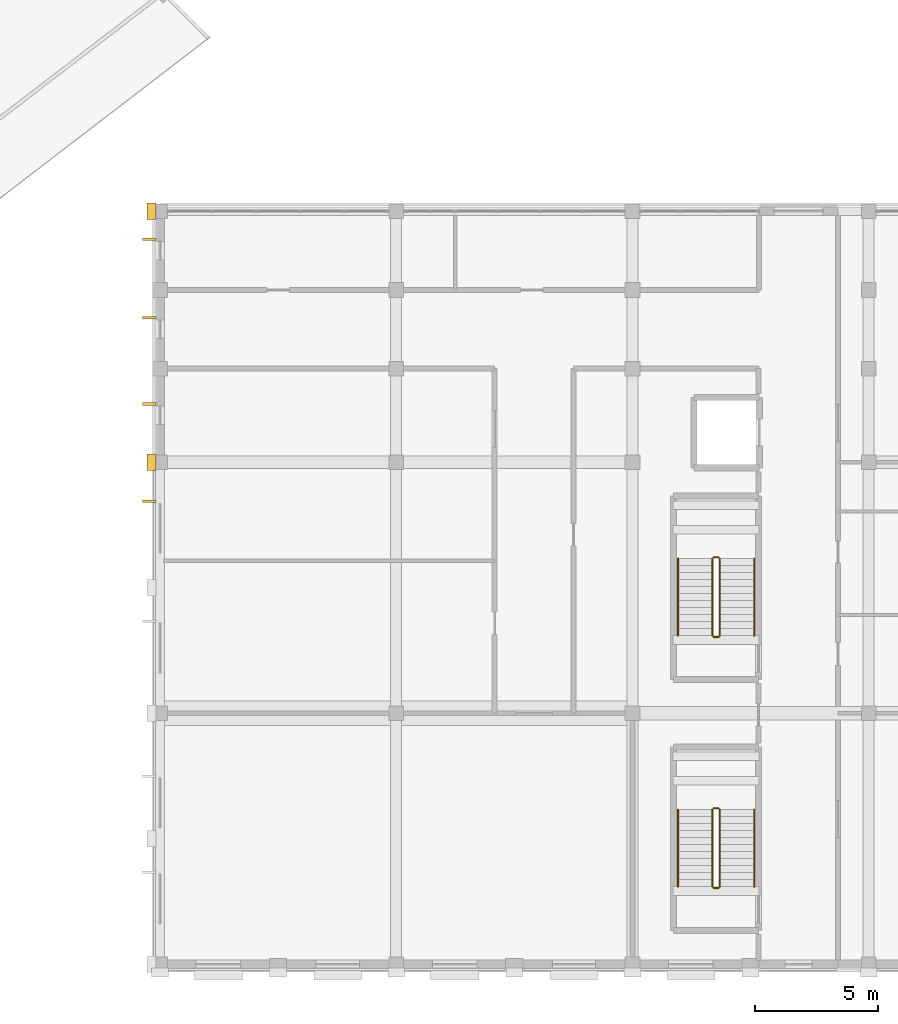
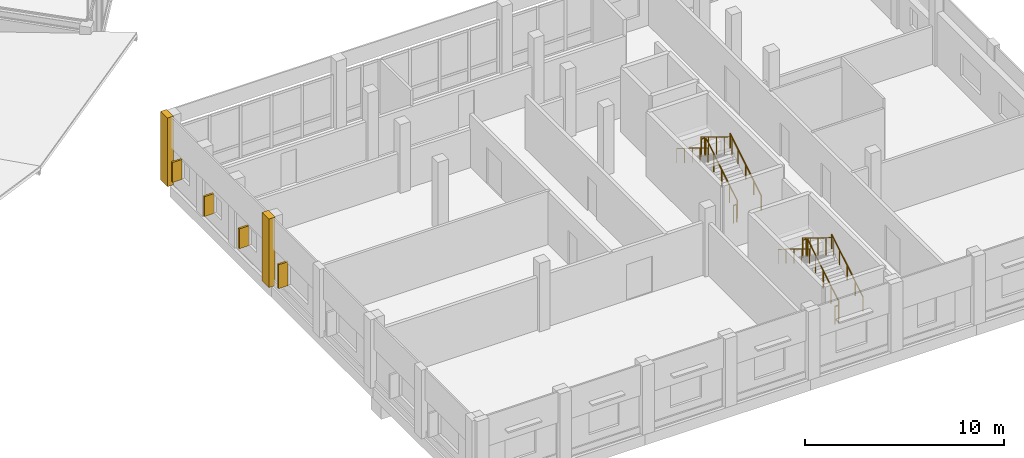
# One storey, part 183 of 185: 12 railings, 4 shading devices, 2 coverings.
"""IFC4 building model written with IfcOpenShell, lengths in metres."""

from ifc_helpers import new_model, si_unit, direction, frame, origin, origin_2d, place, context, subcontext, project, spatial, rectangle, circle, extrude, material, layer, layer_set, type_object, element, save


model = new_model("IFC4")

# Units and contexts
model_context = context("Model", 3, precision=1e-05, world=origin(), true_north=direction((0.0, 1.0)))
body_context = subcontext(model_context, "Body", "Model", "MODEL_VIEW")
ifc_project = project(units=[si_unit("LENGTHUNIT", "METRE"), si_unit("AREAUNIT", "SQUARE_METRE"), si_unit("VOLUMEUNIT", "CUBIC_METRE"), si_unit("PLANEANGLEUNIT", "RADIAN"), si_unit("MASSUNIT", "GRAM", prefix="KILO")], contexts=[model_context])

# Site, building, storey
site_placement = place(None, origin())
site = spatial("IfcSite", under=ifc_project, at=site_placement, CompositionType="ELEMENT")
building_placement = place(site_placement, origin())
building = spatial("IfcBuilding", under=site, at=building_placement, Name="Vondelvale Polytechnic", CompositionType="ELEMENT")
storey_placement = place(building_placement, frame((0.0, 0.0, 9.60009765625)))
storey = spatial("IfcBuildingStorey", under=building, at=storey_placement, Name="L02", CompositionType="ELEMENT", Elevation=9.60009765625)

# Coverings
ifc_material_1 = material(Name="Amsterdam School iron-spot clinker clay brickwork", Category="masonry")
ifc_layer_1 = layer(ifc_material_1, 0.090087890625)
ifc_layer_set_1 = layer_set([ifc_layer_1], Name="COV-BRICK-RELIEF")
covering_type = type_object("IfcCoveringType", Name="COV-BRICK-RELIEF", PredefinedType="CLADDING", material=ifc_layer_set_1)
for number, where, z_axis, x_axis, name in (
    (1, (134.06005859375, 20.39990234375, 0.0), (0.0, 0.0, 1.0), (1.0, 0.0, 0.0), "L02 Lecture wing giant-order pilaster W"),
    (2, (134.06005859375, 30.60009765625, 0.0), (0.0, 0.0, 1.0), (1.0, 0.0, 0.0), "L02 Lecture wing giant-order pilaster W"),
):
    element("IfcCovering", number, at=place(storey_placement, frame(where, z_axis=z_axis, x_axis=x_axis)), inside=storey, type_object=covering_type, Name=name, PredefinedType="CLADDING", context=body_context, shape_type="SweptSolid", body=[
        extrude(rectangle(XDim=0.360107421875, YDim=0.679931640625, at=origin_2d()), origin(), (0.0, 0.0, 1.0), 4.199951171875),
    ])

# Railings
ifc_material_2 = material(Name="Brushed architectural stainless and zinc-coated metal")
ifc_layer_2 = layer(ifc_material_2, 0.050048828125)
ifc_layer_set_2 = layer_set([ifc_layer_2], Name="RL-STAIR-GUARD")
railing_type_1 = type_object("IfcRailingType", Name="RL-STAIR-GUARD", PredefinedType="GUARDRAIL", material=ifc_layer_set_2)
railing_1_placement = place(storey_placement, frame((157.14990234375, 3.14990234375, 0.1748046875)))
element("IfcRailing", 3, at=railing_1_placement, inside=storey, type_object=railing_type_1, Name="L02 ST-06 stair guard 1", PredefinedType="GUARDRAIL", context=body_context, shape_type="SweptSolid", body=[
    extrude(circle(Radius=0.02392578125, at=origin_2d()), frame((0.0, 0.0, 1.076171875), z_axis=(0.0, 0.852166034122, 0.523271488128), x_axis=(-1.0, 0.0, 0.0)), (0.0, 0.0, 1.0), 3.678955078125),
    extrude(circle(Radius=0.02099609375, at=origin_2d()), origin(), (0.0, 0.0, 1.0), 1.052001953125),
    extrude(circle(Radius=0.02099609375, at=origin_2d()), frame((0.0, 0.78369140625, 0.481201171875)), (0.0, 0.0, 1.0), 1.052001953125),
    extrude(circle(Radius=0.02099609375, at=origin_2d()), frame((0.0, 1.5673828125, 0.96240234375)), (0.0, 0.0, 1.0), 1.052001953125),
    extrude(circle(Radius=0.02099609375, at=origin_2d()), frame((0.0, 2.351318359375, 1.44384765625)), (0.0, 0.0, 1.0), 1.052001953125),
    extrude(circle(Radius=0.02099609375, at=origin_2d()), frame((0.0, 3.135009765625, 1.925048828125)), (0.0, 0.0, 1.0), 1.052001953125),
])
railing_2_placement = place(storey_placement, frame((157.10009765625, 6.3349609375, 2.099853515625)))
element("IfcRailing", 4, at=railing_2_placement, inside=storey, type_object=railing_type_1, Name="L02 ST-06 stair guard 2", PredefinedType="GUARDRAIL", context=body_context, shape_type="SweptSolid", body=[
    extrude(circle(Radius=0.02392578125, at=origin_2d()), frame((0.0, 0.0, 1.076171875), z_axis=(-1.0, 0.0, 0.0), x_axis=(0.0, -1.0, 0.0)), (0.0, 0.0, 1.0), 0.2001953125),
    extrude(circle(Radius=0.02099609375, at=origin_2d()), origin(), (0.0, 0.0, 1.0), 1.052001953125),
    extrude(circle(Radius=0.02099609375, at=origin_2d()), frame((-0.2001953125, 0.0, 0.0)), (0.0, 0.0, 1.0), 1.052001953125),
])
railing_3_placement = place(storey_placement, frame((156.85009765625, 6.284912109375, 2.27490234375)))
element("IfcRailing", 5, at=railing_3_placement, inside=storey, type_object=railing_type_1, Name="L02 ST-06 stair guard 3", PredefinedType="GUARDRAIL", context=body_context, shape_type="SweptSolid", body=[
    extrude(circle(Radius=0.02392578125, at=origin_2d()), frame((0.0, 0.0, 1.076171875), z_axis=(0.0, -0.852166034122, 0.523271488128), x_axis=(1.0, 0.0, 0.0)), (0.0, 0.0, 1.0), 3.678955078125),
    extrude(circle(Radius=0.02099609375, at=origin_2d()), origin(), (0.0, 0.0, 1.0), 1.052001953125),
    extrude(circle(Radius=0.02099609375, at=origin_2d()), frame((0.0, -0.78369140625, 0.481201171875)), (0.0, 0.0, 1.0), 1.052001953125),
    extrude(circle(Radius=0.02099609375, at=origin_2d()), frame((0.0, -1.5673828125, 0.96240234375)), (0.0, 0.0, 1.0), 1.052001953125),
    extrude(circle(Radius=0.02099609375, at=origin_2d()), frame((0.0, -2.351318359375, 1.44384765625)), (0.0, 0.0, 1.0), 1.052001953125),
    extrude(circle(Radius=0.02099609375, at=origin_2d()), frame((0.0, -3.135009765625, 1.925048828125)), (0.0, 0.0, 1.0), 1.052001953125),
])
railing_4_placement = place(storey_placement, frame((157.10009765625, 3.10009765625, 0.0)))
element("IfcRailing", 6, at=railing_4_placement, inside=storey, type_object=railing_type_1, Name="L02 ST-06 stair guard 4", PredefinedType="GUARDRAIL", context=body_context, shape_type="SweptSolid", body=[
    extrude(circle(Radius=0.02392578125, at=origin_2d()), frame((0.0, 0.0, 1.076171875), z_axis=(-1.0, 0.0, 0.0), x_axis=(0.0, -1.0, 0.0)), (0.0, 0.0, 1.0), 0.2001953125),
    extrude(circle(Radius=0.02099609375, at=origin_2d()), origin(), (0.0, 0.0, 1.0), 1.052001953125),
    extrude(circle(Radius=0.02099609375, at=origin_2d()), frame((-0.2001953125, 0.0, 0.0)), (0.0, 0.0, 1.0), 1.052001953125),
])
railing_5_placement = place(storey_placement, frame((157.14990234375, 13.35009765625, 0.1748046875)))
element("IfcRailing", 7, at=railing_5_placement, inside=storey, type_object=railing_type_1, Name="L02 ST-07 stair guard 1", PredefinedType="GUARDRAIL", context=body_context, shape_type="SweptSolid", body=[
    extrude(circle(Radius=0.02392578125, at=origin_2d()), frame((0.0, 0.0, 1.076171875), z_axis=(0.0, 0.852166034122, 0.523271488128), x_axis=(-1.0, 0.0, 0.0)), (0.0, 0.0, 1.0), 3.678955078125),
    extrude(circle(Radius=0.02099609375, at=origin_2d()), origin(), (0.0, 0.0, 1.0), 1.052001953125),
    extrude(circle(Radius=0.02099609375, at=origin_2d()), frame((0.0, 0.78369140625, 0.481201171875)), (0.0, 0.0, 1.0), 1.052001953125),
    extrude(circle(Radius=0.02099609375, at=origin_2d()), frame((0.0, 1.5673828125, 0.96240234375)), (0.0, 0.0, 1.0), 1.052001953125),
    extrude(circle(Radius=0.02099609375, at=origin_2d()), frame((0.0, 2.351318359375, 1.44384765625)), (0.0, 0.0, 1.0), 1.052001953125),
    extrude(circle(Radius=0.02099609375, at=origin_2d()), frame((0.0, 3.135009765625, 1.925048828125)), (0.0, 0.0, 1.0), 1.052001953125),
])
railing_6_placement = place(storey_placement, frame((157.10009765625, 16.534912109375, 2.099853515625)))
element("IfcRailing", 8, at=railing_6_placement, inside=storey, type_object=railing_type_1, Name="L02 ST-07 stair guard 2", PredefinedType="GUARDRAIL", context=body_context, shape_type="SweptSolid", body=[
    extrude(circle(Radius=0.02392578125, at=origin_2d()), frame((0.0, 0.0, 1.076171875), z_axis=(-1.0, 0.0, 0.0), x_axis=(0.0, -1.0, 0.0)), (0.0, 0.0, 1.0), 0.2001953125),
    extrude(circle(Radius=0.02099609375, at=origin_2d()), origin(), (0.0, 0.0, 1.0), 1.052001953125),
    extrude(circle(Radius=0.02099609375, at=origin_2d()), frame((-0.2001953125, 0.0, 0.0)), (0.0, 0.0, 1.0), 1.052001953125),
])
railing_7_placement = place(storey_placement, frame((156.85009765625, 16.485107421875, 2.27490234375)))
element("IfcRailing", 9, at=railing_7_placement, inside=storey, type_object=railing_type_1, Name="L02 ST-07 stair guard 3", PredefinedType="GUARDRAIL", context=body_context, shape_type="SweptSolid", body=[
    extrude(circle(Radius=0.02392578125, at=origin_2d()), frame((0.0, 0.0, 1.076171875), z_axis=(0.0, -0.852166034122, 0.523271488128), x_axis=(1.0, 0.0, 0.0)), (0.0, 0.0, 1.0), 3.678955078125),
    extrude(circle(Radius=0.02099609375, at=origin_2d()), origin(), (0.0, 0.0, 1.0), 1.052001953125),
    extrude(circle(Radius=0.02099609375, at=origin_2d()), frame((0.0, -0.78369140625, 0.481201171875)), (0.0, 0.0, 1.0), 1.052001953125),
    extrude(circle(Radius=0.02099609375, at=origin_2d()), frame((0.0, -1.5673828125, 0.96240234375)), (0.0, 0.0, 1.0), 1.052001953125),
    extrude(circle(Radius=0.02099609375, at=origin_2d()), frame((0.0, -2.351318359375, 1.44384765625)), (0.0, 0.0, 1.0), 1.052001953125),
    extrude(circle(Radius=0.02099609375, at=origin_2d()), frame((0.0, -3.135009765625, 1.925048828125)), (0.0, 0.0, 1.0), 1.052001953125),
])
railing_8_placement = place(storey_placement, frame((157.10009765625, 13.300048828125, 0.0)))
element("IfcRailing", 10, at=railing_8_placement, inside=storey, type_object=railing_type_1, Name="L02 ST-07 stair guard 4", PredefinedType="GUARDRAIL", context=body_context, shape_type="SweptSolid", body=[
    extrude(circle(Radius=0.02392578125, at=origin_2d()), frame((0.0, 0.0, 1.076171875), z_axis=(-1.0, 0.0, 0.0), x_axis=(0.0, -1.0, 0.0)), (0.0, 0.0, 1.0), 0.2001953125),
    extrude(circle(Radius=0.02099609375, at=origin_2d()), origin(), (0.0, 0.0, 1.0), 1.052001953125),
    extrude(circle(Radius=0.02099609375, at=origin_2d()), frame((-0.2001953125, 0.0, 0.0)), (0.0, 0.0, 1.0), 1.052001953125),
])
ifc_layer_3 = layer(ifc_material_2, 0.048095703125)
ifc_layer_set_3 = layer_set([ifc_layer_3], Name="RL-STAIR-HANDRAIL")
railing_type_2 = type_object("IfcRailingType", Name="RL-STAIR-HANDRAIL", PredefinedType="HANDRAIL", material=ifc_layer_set_3)
railing_9_placement = place(storey_placement, frame((158.550048828125, 3.14990234375, 0.1748046875)))
element("IfcRailing", 11, at=railing_9_placement, inside=storey, type_object=railing_type_2, Name="L02 ST-06 stair handrail 1", PredefinedType="HANDRAIL", context=body_context, shape_type="SweptSolid", body=[
    extrude(circle(Radius=0.02392578125, at=origin_2d()), frame((0.0, 0.0, 0.8759765625), z_axis=(0.0, 0.852166034122, 0.523271488128), x_axis=(-1.0, 0.0, 0.0)), (0.0, 0.0, 1.0), 3.678955078125),
    extrude(circle(Radius=0.02099609375, at=origin_2d()), origin(), (0.0, 0.0, 1.0), 0.851806640625),
    extrude(circle(Radius=0.02099609375, at=origin_2d()), frame((0.0, 0.78369140625, 0.481201171875)), (0.0, 0.0, 1.0), 0.851806640625),
    extrude(circle(Radius=0.02099609375, at=origin_2d()), frame((0.0, 1.5673828125, 0.96240234375)), (0.0, 0.0, 1.0), 0.851806640625),
    extrude(circle(Radius=0.02099609375, at=origin_2d()), frame((0.0, 2.351318359375, 1.44384765625)), (0.0, 0.0, 1.0), 0.851806640625),
    extrude(circle(Radius=0.02099609375, at=origin_2d()), frame((0.0, 3.135009765625, 1.925048828125)), (0.0, 0.0, 1.0), 0.851806640625),
])
railing_10_placement = place(storey_placement, frame((155.449951171875, 6.284912109375, 2.27490234375)))
element("IfcRailing", 12, at=railing_10_placement, inside=storey, type_object=railing_type_2, Name="L02 ST-06 stair handrail 2", PredefinedType="HANDRAIL", context=body_context, shape_type="SweptSolid", body=[
    extrude(circle(Radius=0.02392578125, at=origin_2d()), frame((0.0, 0.0, 0.8759765625), z_axis=(0.0, -0.852166034122, 0.523271488128), x_axis=(1.0, 0.0, 0.0)), (0.0, 0.0, 1.0), 3.678955078125),
    extrude(circle(Radius=0.02099609375, at=origin_2d()), origin(), (0.0, 0.0, 1.0), 0.851806640625),
    extrude(circle(Radius=0.02099609375, at=origin_2d()), frame((0.0, -0.78369140625, 0.481201171875)), (0.0, 0.0, 1.0), 0.851806640625),
    extrude(circle(Radius=0.02099609375, at=origin_2d()), frame((0.0, -1.5673828125, 0.96240234375)), (0.0, 0.0, 1.0), 0.851806640625),
    extrude(circle(Radius=0.02099609375, at=origin_2d()), frame((0.0, -2.351318359375, 1.44384765625)), (0.0, 0.0, 1.0), 0.851806640625),
    extrude(circle(Radius=0.02099609375, at=origin_2d()), frame((0.0, -3.135009765625, 1.925048828125)), (0.0, 0.0, 1.0), 0.851806640625),
])
railing_11_placement = place(storey_placement, frame((158.550048828125, 13.35009765625, 0.1748046875)))
element("IfcRailing", 13, at=railing_11_placement, inside=storey, type_object=railing_type_2, Name="L02 ST-07 stair handrail 1", PredefinedType="HANDRAIL", context=body_context, shape_type="SweptSolid", body=[
    extrude(circle(Radius=0.02392578125, at=origin_2d()), frame((0.0, 0.0, 0.8759765625), z_axis=(0.0, 0.852166034122, 0.523271488128), x_axis=(-1.0, 0.0, 0.0)), (0.0, 0.0, 1.0), 3.678955078125),
    extrude(circle(Radius=0.02099609375, at=origin_2d()), origin(), (0.0, 0.0, 1.0), 0.851806640625),
    extrude(circle(Radius=0.02099609375, at=origin_2d()), frame((0.0, 0.78369140625, 0.481201171875)), (0.0, 0.0, 1.0), 0.851806640625),
    extrude(circle(Radius=0.02099609375, at=origin_2d()), frame((0.0, 1.5673828125, 0.96240234375)), (0.0, 0.0, 1.0), 0.851806640625),
    extrude(circle(Radius=0.02099609375, at=origin_2d()), frame((0.0, 2.351318359375, 1.44384765625)), (0.0, 0.0, 1.0), 0.851806640625),
    extrude(circle(Radius=0.02099609375, at=origin_2d()), frame((0.0, 3.135009765625, 1.925048828125)), (0.0, 0.0, 1.0), 0.851806640625),
])
railing_12_placement = place(storey_placement, frame((155.449951171875, 16.485107421875, 2.27490234375)))
element("IfcRailing", 14, at=railing_12_placement, inside=storey, type_object=railing_type_2, Name="L02 ST-07 stair handrail 2", PredefinedType="HANDRAIL", context=body_context, shape_type="SweptSolid", body=[
    extrude(circle(Radius=0.02392578125, at=origin_2d()), frame((0.0, 0.0, 0.8759765625), z_axis=(0.0, -0.852166034122, 0.523271488128), x_axis=(1.0, 0.0, 0.0)), (0.0, 0.0, 1.0), 3.678955078125),
    extrude(circle(Radius=0.02099609375, at=origin_2d()), origin(), (0.0, 0.0, 1.0), 0.851806640625),
    extrude(circle(Radius=0.02099609375, at=origin_2d()), frame((0.0, -0.78369140625, 0.481201171875)), (0.0, 0.0, 1.0), 0.851806640625),
    extrude(circle(Radius=0.02099609375, at=origin_2d()), frame((0.0, -1.5673828125, 0.96240234375)), (0.0, 0.0, 1.0), 0.851806640625),
    extrude(circle(Radius=0.02099609375, at=origin_2d()), frame((0.0, -2.351318359375, 1.44384765625)), (0.0, 0.0, 1.0), 0.851806640625),
    extrude(circle(Radius=0.02099609375, at=origin_2d()), frame((0.0, -3.135009765625, 1.925048828125)), (0.0, 0.0, 1.0), 0.851806640625),
])

# Shading devices
ifc_material_3 = material(Name="Kiln-fired architectural terracotta", Category="masonry")
shading_device_type = type_object("IfcShadingDeviceType", Name="SHD-TERRA-FIN-550", PredefinedType="JALOUSIE", material=ifc_material_3)
shading_device_placement = place(storey_placement, frame((133.965087890625, 18.81005859375, 0.7900390625), z_axis=(0.0, 0.0, 1.0), x_axis=(0.0, 1.0, 0.0)))
element("IfcShadingDevice", 15, at=shading_device_placement, inside=storey, type_object=shading_device_type, Name="L02 vertical terracotta solar fin", PredefinedType="JALOUSIE", context=body_context, shape_type="SweptSolid", body=[
    extrude(rectangle(XDim=0.110107421875, YDim=0.550048828125, at=origin_2d()), origin(), (0.0, 0.0, 1.0), 1.469970703125),
])
for number, where, z_axis, x_axis, name in (
    (16, (133.965087890625, 22.764892578125, 0.83984375), (0.0, 0.0, 1.0), (0.0, 1.0, 0.0), "L02 vertical terracotta solar fin"),
    (17, (133.965087890625, 26.264892578125, 0.68994140625), (0.0, 0.0, 1.0), (0.0, 1.0, 0.0), "L02 vertical terracotta solar fin"),
    (18, (133.965087890625, 29.465087890625, 0.83984375), (0.0, 0.0, 1.0), (0.0, 1.0, 0.0), "L02 vertical terracotta solar fin"),
):
    element("IfcShadingDevice", number, at=place(storey_placement, frame(where, z_axis=z_axis, x_axis=x_axis)), inside=storey, type_object=shading_device_type, Name=name, PredefinedType="JALOUSIE", context=body_context, shape_type="SweptSolid", body=[
        extrude(rectangle(XDim=0.110107421875, YDim=0.550048828125, at=origin_2d()), origin(), (0.0, 0.0, 1.0), 1.219970703125),
    ])

save(model, "model.ifc")
